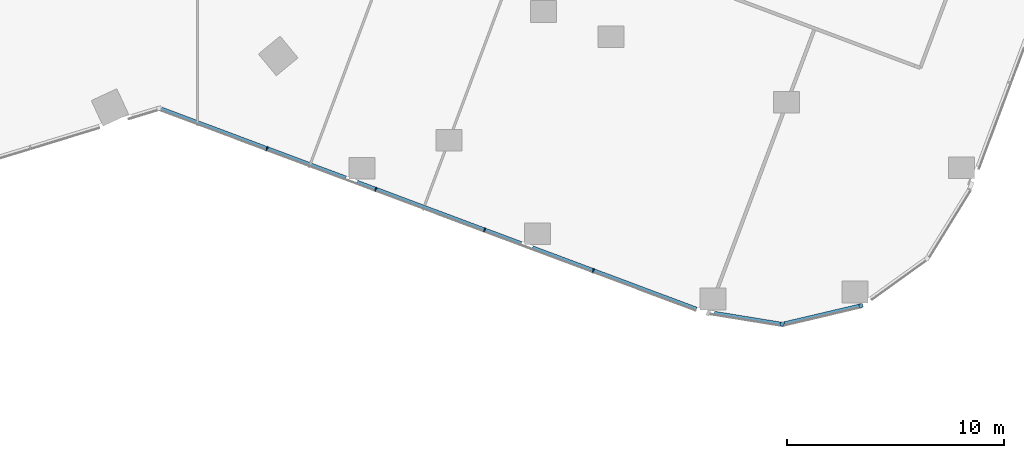
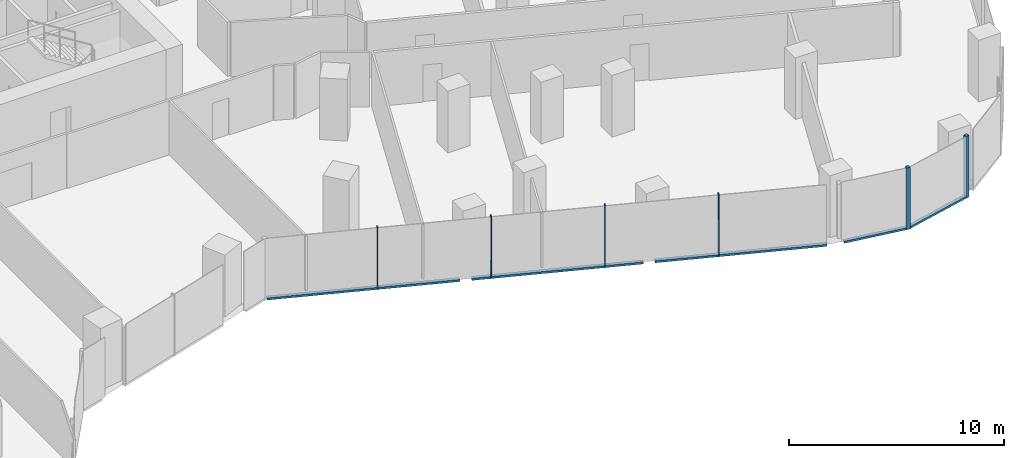
# One storey, part 8 of 31: 11 members, 3 elements without a shape of their own.
"""IFC4 building model written with IfcOpenShell, lengths in metres."""

from ifc_helpers import new_model, si_unit, direction, frame, origin, origin_2d, place, context, subcontext, project, spatial, rectangle, extrude, material, material_profile, profile_set, type_object, element, aggregate, save


model = new_model("IFC4")

# Units and contexts
model_context = context("Model", 3, precision=1e-05, world=origin(), true_north=direction((0.0, 1.0)))
body_context = subcontext(model_context, "Body", "Model", "MODEL_VIEW")
ifc_project = project(units=[si_unit("LENGTHUNIT", "METRE"), si_unit("AREAUNIT", "SQUARE_METRE"), si_unit("VOLUMEUNIT", "CUBIC_METRE"), si_unit("PLANEANGLEUNIT", "RADIAN"), si_unit("MASSUNIT", "GRAM", prefix="KILO")], contexts=[model_context])

# Site, building, storey
site_placement = place(None, origin())
site = spatial("IfcSite", under=ifc_project, at=site_placement, CompositionType="ELEMENT")
building_placement = place(site_placement, origin())
building = spatial("IfcBuilding", under=site, at=building_placement, Name="Orlundy Tower", CompositionType="ELEMENT")
storey_placement = place(building_placement, frame((0.0, 0.0, 94.699951171875)))
storey = spatial("IfcBuildingStorey", under=building, at=storey_placement, Name="L23", CompositionType="ELEMENT", Elevation=94.699951171875)

# Curtain wall, member
ifc_material_1 = material(Name="Aluminium bronze anodised", Category="aluminium")
curtain_wall_type = type_object("IfcCurtainWallType", Name="CW1 wall", PredefinedType="NOTDEFINED", material=ifc_material_1)
curtain_wall_1_placement = place(storey_placement, origin())
curtain_wall_1 = element("IfcCurtainWall", 1, at=curtain_wall_1_placement, inside=storey, type_object=curtain_wall_type, Name="CW1 run 014", PredefinedType="NOTDEFINED")
ifc_material_2 = material(Name="Aluminium bronze anodised", Category="aluminium")
ifc_material_profile_1 = material_profile(ifc_material_2, rectangle(XDim=0.179931640625, YDim=0.179931640625, at=origin_2d()), Name="CW1 corner post 180x180")
ifc_profile_set_1 = profile_set([ifc_material_profile_1], Name="Aluminium bronze anodised")
member_type_1 = type_object("IfcMemberType", Name="CW1 corner post 180x180", PredefinedType="MULLION", material=ifc_profile_set_1)
member_1_placement = place(storey_placement, frame((47.134033203125, -36.073486328125, -0.39990234375), z_axis=(0.0, 0.0, 1.0), x_axis=(0.229309985845, -0.97335344577, 0.0)))
member_1 = element("IfcMember", 2, at=member_1_placement, type_object=member_type_1, Name="CW1 mullion 42", PredefinedType="MULLION", context=body_context, shape_type="SweptSolid", body=[
    extrude(rectangle(XDim=0.179931640625, YDim=0.179931640625, at=origin_2d()), origin(), (0.0, 0.0, 1.0), 3.5),
])

curtain_wall_2_placement = place(storey_placement, origin())
curtain_wall_2 = element("IfcCurtainWall", 3, at=curtain_wall_2_placement, inside=storey, type_object=curtain_wall_type, Name="CW1 run 015", PredefinedType="NOTDEFINED")
member_2_placement = place(storey_placement, frame((43.4912109375, -36.931640625, -0.39990234375), z_axis=(0.0, 0.0, 1.0), x_axis=(-0.160767268774, -0.986992343076, 0.0)))
member_2 = element("IfcMember", 4, at=member_2_placement, type_object=member_type_1, Name="CW1 mullion 43", PredefinedType="MULLION", context=body_context, shape_type="SweptSolid", body=[
    extrude(rectangle(XDim=0.179931640625, YDim=0.179931640625, at=origin_2d()), origin(), (0.0, 0.0, 1.0), 3.5),
])

# Curtain wall, members
curtain_wall_3_placement = place(storey_placement, origin())
curtain_wall_3 = element("IfcCurtainWall", 5, at=curtain_wall_3_placement, inside=storey, type_object=curtain_wall_type, Name="CW1 run 016", PredefinedType="NOTDEFINED")
ifc_material_3 = material(Name="Aluminium bronze anodised", Category="aluminium")
ifc_material_profile_2 = material_profile(ifc_material_3, rectangle(XDim=0.179931640625, YDim=0.050048828125, at=origin_2d()), Name="CW1 mullion 50x180")
ifc_profile_set_2 = profile_set([ifc_material_profile_2], Name="Aluminium bronze anodised")
member_type_2 = type_object("IfcMemberType", Name="CW1 mullion 50x180", PredefinedType="MULLION", material=ifc_profile_set_2)
member_3_placement = place(storey_placement, frame((34.780029296875, -34.452392578125, -0.39990234375), z_axis=(0.0, 0.0, 1.0), x_axis=(-0.350219011684, -0.936667840729, 0.0)))
member_3 = element("IfcMember", 6, at=member_3_placement, type_object=member_type_2, Name="CW1 mullion 45", PredefinedType="MULLION", context=body_context, shape_type="SweptSolid", body=[
    extrude(rectangle(XDim=0.179931640625, YDim=0.050048828125, at=origin_2d()), origin(), (0.0, 0.0, 1.0), 3.5),
])
member_4_placement = place(storey_placement, frame((29.7626953125, -32.576416015625, -0.39990234375), z_axis=(0.0, 0.0, 1.0), x_axis=(-0.350219011684, -0.936667840729, 0.0)))
member_4 = element("IfcMember", 7, at=member_4_placement, type_object=member_type_2, Name="CW1 mullion 46", PredefinedType="MULLION", context=body_context, shape_type="SweptSolid", body=[
    extrude(rectangle(XDim=0.179931640625, YDim=0.050048828125, at=origin_2d()), origin(), (0.0, 0.0, 1.0), 3.5),
])
member_5_placement = place(storey_placement, frame((24.745361328125, -30.7001953125, -0.39990234375), z_axis=(0.0, 0.0, 1.0), x_axis=(-0.350219011684, -0.936667840729, 0.0)))
member_5 = element("IfcMember", 8, at=member_5_placement, type_object=member_type_2, Name="CW1 mullion 47", PredefinedType="MULLION", context=body_context, shape_type="SweptSolid", body=[
    extrude(rectangle(XDim=0.179931640625, YDim=0.050048828125, at=origin_2d()), origin(), (0.0, 0.0, 1.0), 3.5),
])
member_6_placement = place(storey_placement, frame((19.727783203125, -28.82421875, -0.39990234375), z_axis=(0.0, 0.0, 1.0), x_axis=(-0.350219011684, -0.936667840729, 0.0)))
member_6 = element("IfcMember", 9, at=member_6_placement, type_object=member_type_2, Name="CW1 mullion 48", PredefinedType="MULLION", context=body_context, shape_type="SweptSolid", body=[
    extrude(rectangle(XDim=0.179931640625, YDim=0.050048828125, at=origin_2d()), origin(), (0.0, 0.0, 1.0), 3.5),
])

# Member
ifc_material_4 = material(Name="Aluminium bronze anodised", Category="aluminium")
ifc_material_profile_3 = material_profile(ifc_material_4, rectangle(XDim=0.179931640625, YDim=0.1201171875, at=origin_2d()), Name="CW1 transom 180x120")
ifc_profile_set_3 = profile_set([ifc_material_profile_3], Name="Aluminium bronze anodised")
member_type_3 = type_object("IfcMemberType", Name="CW1 transom 180x120", PredefinedType="USERDEFINED", material=ifc_profile_set_3)
member_7_placement = place(storey_placement, frame((47.04638671875, -36.09423828125, -0.33984375), z_axis=(-0.973356793262, -0.22929577626, 0.0), x_axis=(0.22929577626, -0.973356793262, 0.0)))
member_7 = element("IfcMember", 10, at=member_7_placement, type_object=member_type_3, Name="CW1 transom", ObjectType="TRANSOM", PredefinedType="USERDEFINED", context=body_context, shape_type="SweptSolid", body=[
    extrude(rectangle(XDim=0.179931640625, YDim=0.1201171875, at=origin_2d()), origin(), (0.0, 0.0, 1.0), 3.55517578125),
])

aggregate(curtain_wall_1, [member_1, member_7])

member_8_placement = place(storey_placement, frame((43.40234375, -36.917236328125, -0.33984375), z_axis=(-0.986988010756, 0.160793863761, 0.0), x_axis=(-0.160793863761, -0.986988010756, 0.0)))
member_8 = element("IfcMember", 11, at=member_8_placement, type_object=member_type_3, Name="CW1 transom", ObjectType="TRANSOM", PredefinedType="USERDEFINED", context=body_context, shape_type="SweptSolid", body=[
    extrude(rectangle(XDim=0.179931640625, YDim=0.1201171875, at=origin_2d()), origin(), (0.0, 0.0, 1.0), 3.0869140625),
])

aggregate(curtain_wall_2, [member_2, member_8])

member_9_placement = place(storey_placement, frame((39.541015625, -36.232421875, -0.33984375), z_axis=(-0.936672607981, 0.350206261306, 0.0), x_axis=(-0.350206261306, -0.936672607981, 0.0)))
member_9 = element("IfcMember", 12, at=member_9_placement, type_object=member_type_3, Name="CW1 transom", ObjectType="TRANSOM", PredefinedType="USERDEFINED", context=body_context, shape_type="SweptSolid", body=[
    extrude(rectangle(XDim=0.179931640625, YDim=0.1201171875, at=origin_2d()), origin(), (0.0, 0.0, 1.0), 8.081787109375),
])

member_10_placement = place(storey_placement, frame((31.452880859375, -33.208251953125, -0.33984375), z_axis=(-0.936665197562, 0.350226080804, 0.0), x_axis=(-0.350226080804, -0.936665197562, 0.0)))
member_10 = element("IfcMember", 13, at=member_10_placement, type_object=member_type_3, Name="CW1 transom", ObjectType="TRANSOM", PredefinedType="USERDEFINED", context=body_context, shape_type="SweptSolid", body=[
    extrude(rectangle(XDim=0.179931640625, YDim=0.1201171875, at=origin_2d()), origin(), (0.0, 0.0, 1.0), 8.081298828125),
])

member_11_placement = place(storey_placement, frame((23.365966796875, -30.1845703125, -0.33984375), z_axis=(-0.936668450317, 0.350217381323, 0.0), x_axis=(-0.350217381323, -0.936668450317, 0.0)))
member_11 = element("IfcMember", 14, at=member_11_placement, type_object=member_type_3, Name="CW1 transom", ObjectType="TRANSOM", PredefinedType="USERDEFINED", context=body_context, shape_type="SweptSolid", body=[
    extrude(rectangle(XDim=0.179931640625, YDim=0.1201171875, at=origin_2d()), origin(), (0.0, 0.0, 1.0), 9.0966796875),
])

aggregate(curtain_wall_3, [member_3, member_4, member_5, member_6, member_9, member_10, member_11])

save(model, "model.ifc")
